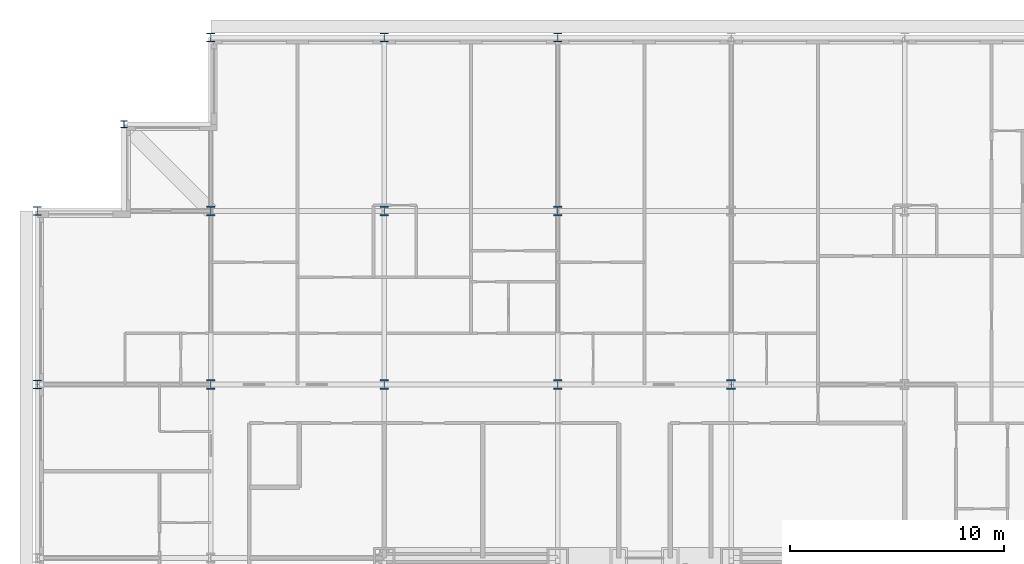
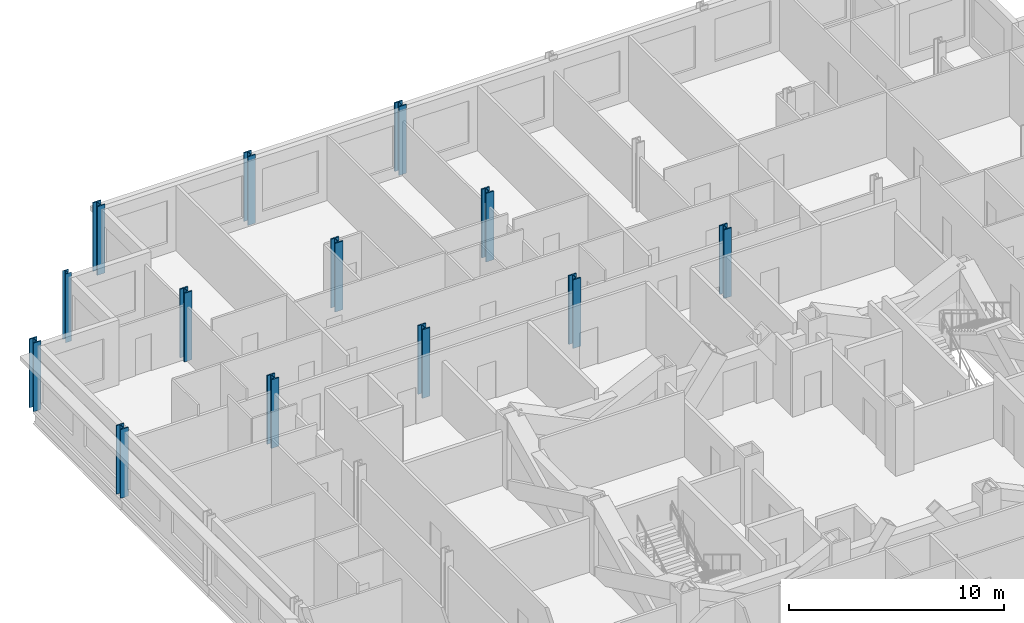
# One storey, part 3 of 16: 13 columns.
"""IFC4 building model written with IfcOpenShell, lengths in metres."""

from ifc_helpers import new_model, si_unit, direction, frame, origin, origin_2d, place, context, subcontext, project, spatial, i_section, extrude, material, material_profile, profile_set, type_object, element, save


model = new_model("IFC4")

# Units and contexts
model_context = context("Model", 3, precision=1e-05, world=origin(), true_north=direction((0.0, 1.0)))
body_context = subcontext(model_context, "Body", "Model", "MODEL_VIEW")
ifc_project = project(units=[si_unit("LENGTHUNIT", "METRE"), si_unit("AREAUNIT", "SQUARE_METRE"), si_unit("VOLUMEUNIT", "CUBIC_METRE"), si_unit("PLANEANGLEUNIT", "RADIAN"), si_unit("MASSUNIT", "GRAM", prefix="KILO")], contexts=[model_context])

# Site, building, storey
site_placement = place(None, origin())
site = spatial("IfcSite", under=ifc_project, at=site_placement, CompositionType="ELEMENT")
building_placement = place(site_placement, origin())
building = spatial("IfcBuilding", under=site, at=building_placement, Name="Kopane Lantern Tower", CompositionType="ELEMENT")
storey_placement = place(building_placement, frame((0.0, 0.0, 258.0)))
storey = spatial("IfcBuildingStorey", under=building, at=storey_placement, Name="L66", CompositionType="ELEMENT", Elevation=258.0)

# Columns
ifc_material_1 = material(Name="Steel S355JR", Category="steel")
ifc_material_profile_1 = material_profile(ifc_material_1, i_section(OverallWidth=0.307373046875, OverallDepth=0.314453125, WebThickness=0.011962890625, FlangeThickness=0.018798828125, FilletRadius=0.01513671875, at=origin_2d()), Name="UC 305x305x118")
ifc_profile_set_1 = profile_set([ifc_material_profile_1], Name="Steel S355JR")
column_type_1 = type_object("IfcColumnType", Name="COLUMN UC 305x305x118", PredefinedType="COLUMN", material=ifc_profile_set_1)
column_placement = place(storey_placement, frame((4.050048828125, 60.75, 0.0), z_axis=(0.0, 0.0, 1.0), x_axis=(1.0, 0.0, 0.0)))
element("IfcColumn", 1, at=column_placement, inside=storey, type_object=column_type_1, Name="Column 4.05/60.75 L66", PredefinedType="COLUMN", context=body_context, shape_type="SweptSolid", body=[
    extrude(i_section(OverallWidth=0.307373046875, OverallDepth=0.314453125, WebThickness=0.011962890625, FlangeThickness=0.018798828125, FilletRadius=0.01513671875, at=origin_2d()), origin(), (0.0, 0.0, 1.0), 3.89990234375),
])
ifc_material_2 = material(Name="Steel S355JR", Category="steel")
ifc_material_profile_2 = material_profile(ifc_material_2, i_section(OverallWidth=0.412109375, OverallDepth=0.4365234375, WebThickness=0.035888671875, FlangeThickness=0.05810546875, FilletRadius=0.01513671875, at=origin_2d()), Name="UC 356x406x467")
ifc_profile_set_2 = profile_set([ifc_material_profile_2], Name="Steel S355JR")
column_type_2 = type_object("IfcColumnType", Name="COLUMN UC 356x406x467", PredefinedType="COLUMN", material=ifc_profile_set_2)
for number, where, z_axis, x_axis, name in (
    (2, (0.0, 48.60009765625, 0.0), (0.0, 0.0, 1.0), (1.0, 0.0, 0.0), "Column 2/H L66"),
    (3, (0.0, 56.699951171875, 0.0), (0.0, 0.0, 1.0), (1.0, 0.0, 0.0), "Column 2/J L66"),
    (4, (8.10009765625, 64.800048828125, 0.0), (0.0, 0.0, 1.0), (1.0, 0.0, 0.0), "Column 3/K L66"),
    (5, (16.199951171875, 64.800048828125, 0.0), (0.0, 0.0, 1.0), (1.0, 0.0, 0.0), "Column 4/K L66"),
    (6, (24.300048828125, 64.800048828125, 0.0), (0.0, 0.0, 1.0), (1.0, 0.0, 0.0), "Column 5/K L66"),
):
    element("IfcColumn", number, at=place(storey_placement, frame(where, z_axis=z_axis, x_axis=x_axis)), inside=storey, type_object=column_type_2, Name=name, PredefinedType="COLUMN", context=body_context, shape_type="SweptSolid", body=[
        extrude(i_section(OverallWidth=0.412109375, OverallDepth=0.4365234375, WebThickness=0.035888671875, FlangeThickness=0.05810546875, FilletRadius=0.01513671875, at=origin_2d()), origin(), (0.0, 0.0, 1.0), 3.89990234375),
    ])
ifc_material_3 = material(Name="Steel S355JR", Category="steel")
ifc_material_profile_3 = material_profile(ifc_material_3, i_section(OverallWidth=0.41845703125, OverallDepth=0.45556640625, WebThickness=0.0419921875, FlangeThickness=0.0673828125, FilletRadius=0.01513671875, at=origin_2d()), Name="UC 356x406x551")
ifc_profile_set_3 = profile_set([ifc_material_profile_3], Name="Steel S355JR")
column_type_3 = type_object("IfcColumnType", Name="COLUMN UC 356x406x551", PredefinedType="COLUMN", material=ifc_profile_set_3)
for number, where, z_axis, x_axis, name in (
    (7, (8.10009765625, 48.60009765625, 0.0), (0.0, 0.0, 1.0), (1.0, 0.0, 0.0), "Column 3/H L66"),
    (8, (8.10009765625, 56.699951171875, 0.0), (0.0, 0.0, 1.0), (1.0, 0.0, 0.0), "Column 3/J L66"),
    (9, (16.199951171875, 48.60009765625, 0.0), (0.0, 0.0, 1.0), (1.0, 0.0, 0.0), "Column 4/H L66"),
    (10, (16.199951171875, 56.699951171875, 0.0), (0.0, 0.0, 1.0), (1.0, 0.0, 0.0), "Column 4/J L66"),
    (11, (24.300048828125, 48.60009765625, 0.0), (0.0, 0.0, 1.0), (1.0, 0.0, 0.0), "Column 5/H L66"),
    (12, (24.300048828125, 56.699951171875, 0.0), (0.0, 0.0, 1.0), (1.0, 0.0, 0.0), "Column 5/J L66"),
    (13, (32.39990234375, 48.60009765625, 0.0), (0.0, 0.0, 1.0), (1.0, 0.0, 0.0), "Column 6/H L66"),
):
    element("IfcColumn", number, at=place(storey_placement, frame(where, z_axis=z_axis, x_axis=x_axis)), inside=storey, type_object=column_type_3, Name=name, PredefinedType="COLUMN", context=body_context, shape_type="SweptSolid", body=[
        extrude(i_section(OverallWidth=0.41845703125, OverallDepth=0.45556640625, WebThickness=0.0419921875, FlangeThickness=0.0673828125, FilletRadius=0.01513671875, at=origin_2d()), origin(), (0.0, 0.0, 1.0), 3.89990234375),
    ])

save(model, "model.ifc")
